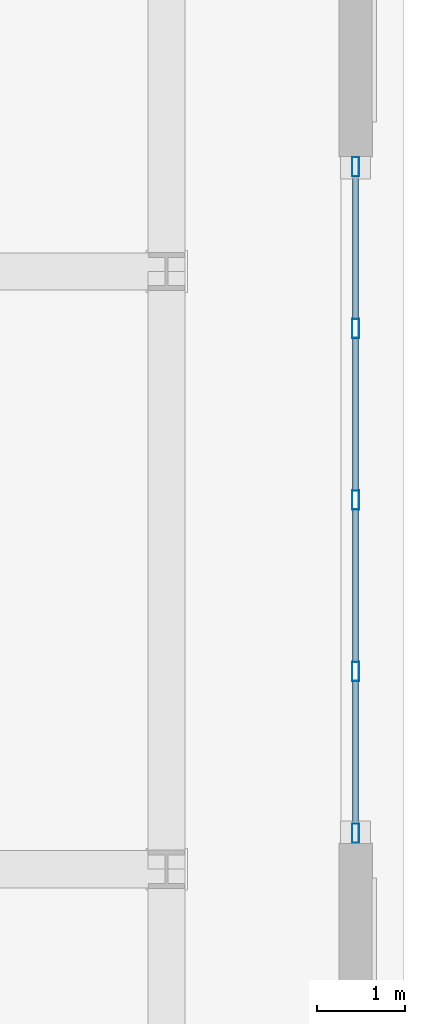
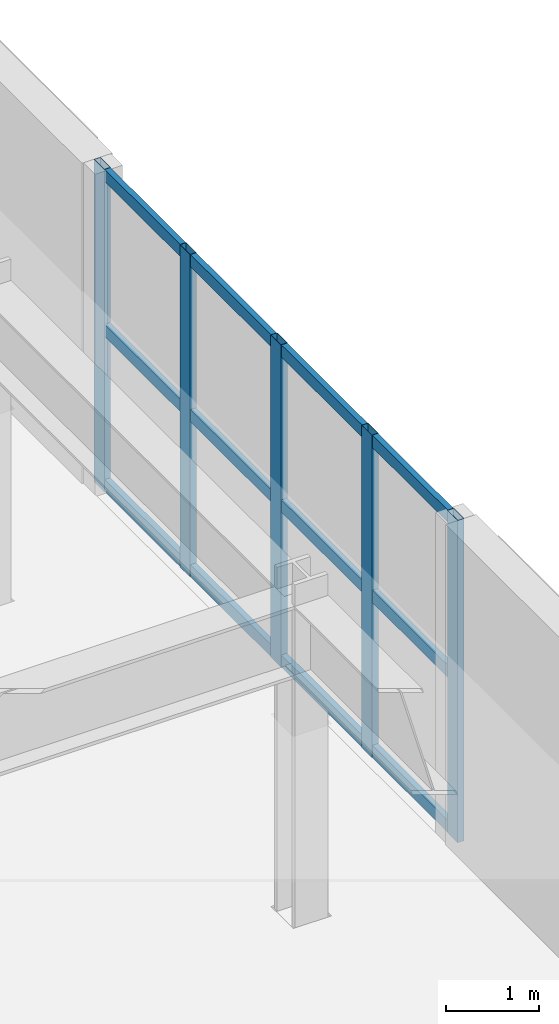
# One storey, part 12 of 21: 17 members, 1 element without a shape of its own.
"""IFC4 building model written with IfcOpenShell, lengths in metres."""

from ifc_helpers import new_model, si_unit, direction, frame, origin, origin_2d, place, context, subcontext, project, spatial, hollow_rectangle, extrude, material, layer, layer_set, material_profile, profile_set, type_object, element, aggregate, save


model = new_model("IFC4")

# Units and contexts
model_context = context("Model", 3, precision=1e-05, world=origin(), true_north=direction((0.0, 1.0)))
body_context = subcontext(model_context, "Body", "Model", "MODEL_VIEW")
ifc_project = project(units=[si_unit("LENGTHUNIT", "METRE"), si_unit("AREAUNIT", "SQUARE_METRE"), si_unit("VOLUMEUNIT", "CUBIC_METRE"), si_unit("PLANEANGLEUNIT", "RADIAN"), si_unit("MASSUNIT", "GRAM", prefix="KILO")], contexts=[model_context])

# Site, building, storey
site_placement = place(None, origin())
site = spatial("IfcSite", under=ifc_project, at=site_placement, CompositionType="ELEMENT")
building_placement = place(site_placement, origin())
building = spatial("IfcBuilding", under=site, at=building_placement, Name="Oramaril Tower", CompositionType="ELEMENT")
storey_placement = place(building_placement, frame((0.0, 0.0, 5.39990234375)))
storey = spatial("IfcBuildingStorey", under=building, at=storey_placement, Name="L01", CompositionType="ELEMENT", Elevation=5.39990234375)

# Curtain wall, members
ifc_material_1 = material(Name="Anodised Aluminium 6063-T6", Category="aluminium")
ifc_layer = layer(ifc_material_1, 0.219970703125)
ifc_layer_set = layer_set([ifc_layer], Name="CWT-SYS1")
curtain_wall_type = type_object("IfcCurtainWallType", Name="CWT-SYS1", PredefinedType="NOTDEFINED", material=ifc_layer_set)
curtain_wall_placement = place(storey_placement, origin())
curtain_wall = element("IfcCurtainWall", 1, at=curtain_wall_placement, inside=storey, type_object=curtain_wall_type, Name="L01 Unitised Curtain Wall CW-1", PredefinedType="NOTDEFINED")
ifc_material_2 = material(Name="Anodised Aluminium 6063-T6", Category="aluminium")
ifc_material_profile_1 = material_profile(ifc_material_2, hollow_rectangle(XDim=0.080078125, YDim=0.219970703125, WallThickness=0.00390625, at=origin_2d()), Name="CWM220X80")
ifc_profile_set_1 = profile_set([ifc_material_profile_1], Name="Anodised Aluminium 6063-T6")
member_type_1 = type_object("IfcMemberType", Name="MT-CWM1", PredefinedType="MULLION", material=ifc_profile_set_1)
member_1_placement = place(storey_placement, frame((77.949951171875, 19.010009765625, 0.0), z_axis=(0.0, 0.0, 1.0), x_axis=(-1.0, 0.0, 0.0)))
member_1 = element("IfcMember", 2, at=member_1_placement, type_object=member_type_1, Name="CW-1 mullion 1", PredefinedType="MULLION", context=body_context, shape_type="SweptSolid", body=[
    extrude(hollow_rectangle(XDim=0.080078125, YDim=0.219970703125, WallThickness=0.00390625, at=origin_2d()), origin(), (0.0, 0.0, 1.0), 4.22021484375),
])
member_2_placement = place(storey_placement, frame((77.949951171875, 20.85009765625, 0.0), z_axis=(0.0, 0.0, 1.0), x_axis=(-1.0, 0.0, 0.0)))
member_2 = element("IfcMember", 3, at=member_2_placement, type_object=member_type_1, Name="CW-1 mullion 2", PredefinedType="MULLION", context=body_context, shape_type="SweptSolid", body=[
    extrude(hollow_rectangle(XDim=0.080078125, YDim=0.219970703125, WallThickness=0.00390625, at=origin_2d()), origin(), (0.0, 0.0, 1.0), 4.22021484375),
])
member_3_placement = place(storey_placement, frame((77.949951171875, 22.800048828125, 0.0), z_axis=(0.0, 0.0, 1.0), x_axis=(-1.0, 0.0, 0.0)))
member_3 = element("IfcMember", 4, at=member_3_placement, type_object=member_type_1, Name="CW-1 mullion 3", PredefinedType="MULLION", context=body_context, shape_type="SweptSolid", body=[
    extrude(hollow_rectangle(XDim=0.080078125, YDim=0.219970703125, WallThickness=0.00390625, at=origin_2d()), origin(), (0.0, 0.0, 1.0), 4.22021484375),
])
member_4_placement = place(storey_placement, frame((77.949951171875, 24.75, 0.0), z_axis=(0.0, 0.0, 1.0), x_axis=(-1.0, 0.0, 0.0)))
member_4 = element("IfcMember", 5, at=member_4_placement, type_object=member_type_1, Name="CW-1 mullion 4", PredefinedType="MULLION", context=body_context, shape_type="SweptSolid", body=[
    extrude(hollow_rectangle(XDim=0.080078125, YDim=0.219970703125, WallThickness=0.00390625, at=origin_2d()), origin(), (0.0, 0.0, 1.0), 4.22021484375),
])
member_5_placement = place(storey_placement, frame((77.949951171875, 26.590087890625, 0.0), z_axis=(0.0, 0.0, 1.0), x_axis=(-1.0, 0.0, 0.0)))
member_5 = element("IfcMember", 6, at=member_5_placement, type_object=member_type_1, Name="CW-1 mullion 5", PredefinedType="MULLION", context=body_context, shape_type="SweptSolid", body=[
    extrude(hollow_rectangle(XDim=0.080078125, YDim=0.219970703125, WallThickness=0.00390625, at=origin_2d()), origin(), (0.0, 0.0, 1.0), 4.22021484375),
])
ifc_material_3 = material(Name="Anodised Aluminium 6063-T6", Category="aluminium")
ifc_material_profile_2 = material_profile(ifc_material_3, hollow_rectangle(XDim=0.070068359375, YDim=0.159912109375, WallThickness=0.00390625, at=origin_2d()), Name="CWT160X70")
ifc_profile_set_2 = profile_set([ifc_material_profile_2], Name="Anodised Aluminium 6063-T6")
member_type_2 = type_object("IfcMemberType", Name="MT-CWT1", PredefinedType="USERDEFINED", material=ifc_profile_set_2)
member_6_placement = place(storey_placement, frame((77.949951171875, 19.1201171875, 0.080078125), z_axis=(0.0, 1.0, 0.0), x_axis=(-1.0, 0.0, 0.0)))
member_6 = element("IfcMember", 7, at=member_6_placement, type_object=member_type_2, Name="CW-1 transom 1.1", ObjectType="TRANSOM", PredefinedType="USERDEFINED", context=body_context, shape_type="SweptSolid", body=[
    extrude(hollow_rectangle(XDim=0.070068359375, YDim=0.159912109375, WallThickness=0.00390625, at=origin_2d()), origin(), (0.0, 0.0, 1.0), 1.619873046875),
])
member_7_placement = place(storey_placement, frame((77.949951171875, 19.1201171875, 2.110107421875), z_axis=(0.0, 1.0, 0.0), x_axis=(-1.0, 0.0, 0.0)))
member_7 = element("IfcMember", 8, at=member_7_placement, type_object=member_type_2, Name="CW-1 transom 1.2", ObjectType="TRANSOM", PredefinedType="USERDEFINED", context=body_context, shape_type="SweptSolid", body=[
    extrude(hollow_rectangle(XDim=0.070068359375, YDim=0.159912109375, WallThickness=0.00390625, at=origin_2d()), origin(), (0.0, 0.0, 1.0), 1.619873046875),
])
member_8_placement = place(storey_placement, frame((77.949951171875, 19.1201171875, 4.14013671875), z_axis=(0.0, 1.0, 0.0), x_axis=(-1.0, 0.0, 0.0)))
member_8 = element("IfcMember", 9, at=member_8_placement, type_object=member_type_2, Name="CW-1 transom 1.3", ObjectType="TRANSOM", PredefinedType="USERDEFINED", context=body_context, shape_type="SweptSolid", body=[
    extrude(hollow_rectangle(XDim=0.070068359375, YDim=0.159912109375, WallThickness=0.00390625, at=origin_2d()), origin(), (0.0, 0.0, 1.0), 1.619873046875),
])
member_9_placement = place(storey_placement, frame((77.949951171875, 20.9599609375, 0.080078125), z_axis=(0.0, 1.0, 0.0), x_axis=(-1.0, 0.0, 0.0)))
member_9 = element("IfcMember", 10, at=member_9_placement, type_object=member_type_2, Name="CW-1 transom 2.1", ObjectType="TRANSOM", PredefinedType="USERDEFINED", context=body_context, shape_type="SweptSolid", body=[
    extrude(hollow_rectangle(XDim=0.070068359375, YDim=0.159912109375, WallThickness=0.00390625, at=origin_2d()), origin(), (0.0, 0.0, 1.0), 1.72998046875),
])
member_10_placement = place(storey_placement, frame((77.949951171875, 20.9599609375, 2.110107421875), z_axis=(0.0, 1.0, 0.0), x_axis=(-1.0, 0.0, 0.0)))
member_10 = element("IfcMember", 11, at=member_10_placement, type_object=member_type_2, Name="CW-1 transom 2.2", ObjectType="TRANSOM", PredefinedType="USERDEFINED", context=body_context, shape_type="SweptSolid", body=[
    extrude(hollow_rectangle(XDim=0.070068359375, YDim=0.159912109375, WallThickness=0.00390625, at=origin_2d()), origin(), (0.0, 0.0, 1.0), 1.72998046875),
])
member_11_placement = place(storey_placement, frame((77.949951171875, 20.9599609375, 4.14013671875), z_axis=(0.0, 1.0, 0.0), x_axis=(-1.0, 0.0, 0.0)))
member_11 = element("IfcMember", 12, at=member_11_placement, type_object=member_type_2, Name="CW-1 transom 2.3", ObjectType="TRANSOM", PredefinedType="USERDEFINED", context=body_context, shape_type="SweptSolid", body=[
    extrude(hollow_rectangle(XDim=0.070068359375, YDim=0.159912109375, WallThickness=0.00390625, at=origin_2d()), origin(), (0.0, 0.0, 1.0), 1.72998046875),
])
member_12_placement = place(storey_placement, frame((77.949951171875, 22.909912109375, 0.080078125), z_axis=(0.0, 1.0, 0.0), x_axis=(-1.0, 0.0, 0.0)))
member_12 = element("IfcMember", 13, at=member_12_placement, type_object=member_type_2, Name="CW-1 transom 3.1", ObjectType="TRANSOM", PredefinedType="USERDEFINED", context=body_context, shape_type="SweptSolid", body=[
    extrude(hollow_rectangle(XDim=0.070068359375, YDim=0.159912109375, WallThickness=0.00390625, at=origin_2d()), origin(), (0.0, 0.0, 1.0), 1.72998046875),
])
member_13_placement = place(storey_placement, frame((77.949951171875, 22.909912109375, 2.110107421875), z_axis=(0.0, 1.0, 0.0), x_axis=(-1.0, 0.0, 0.0)))
member_13 = element("IfcMember", 14, at=member_13_placement, type_object=member_type_2, Name="CW-1 transom 3.2", ObjectType="TRANSOM", PredefinedType="USERDEFINED", context=body_context, shape_type="SweptSolid", body=[
    extrude(hollow_rectangle(XDim=0.070068359375, YDim=0.159912109375, WallThickness=0.00390625, at=origin_2d()), origin(), (0.0, 0.0, 1.0), 1.72998046875),
])
member_14_placement = place(storey_placement, frame((77.949951171875, 22.909912109375, 4.14013671875), z_axis=(0.0, 1.0, 0.0), x_axis=(-1.0, 0.0, 0.0)))
member_14 = element("IfcMember", 15, at=member_14_placement, type_object=member_type_2, Name="CW-1 transom 3.3", ObjectType="TRANSOM", PredefinedType="USERDEFINED", context=body_context, shape_type="SweptSolid", body=[
    extrude(hollow_rectangle(XDim=0.070068359375, YDim=0.159912109375, WallThickness=0.00390625, at=origin_2d()), origin(), (0.0, 0.0, 1.0), 1.72998046875),
])
member_15_placement = place(storey_placement, frame((77.949951171875, 24.860107421875, 0.080078125), z_axis=(0.0, 1.0, 0.0), x_axis=(-1.0, 0.0, 0.0)))
member_15 = element("IfcMember", 16, at=member_15_placement, type_object=member_type_2, Name="CW-1 transom 4.1", ObjectType="TRANSOM", PredefinedType="USERDEFINED", context=body_context, shape_type="SweptSolid", body=[
    extrude(hollow_rectangle(XDim=0.070068359375, YDim=0.159912109375, WallThickness=0.00390625, at=origin_2d()), origin(), (0.0, 0.0, 1.0), 1.619873046875),
])
member_16_placement = place(storey_placement, frame((77.949951171875, 24.860107421875, 2.110107421875), z_axis=(0.0, 1.0, 0.0), x_axis=(-1.0, 0.0, 0.0)))
member_16 = element("IfcMember", 17, at=member_16_placement, type_object=member_type_2, Name="CW-1 transom 4.2", ObjectType="TRANSOM", PredefinedType="USERDEFINED", context=body_context, shape_type="SweptSolid", body=[
    extrude(hollow_rectangle(XDim=0.070068359375, YDim=0.159912109375, WallThickness=0.00390625, at=origin_2d()), origin(), (0.0, 0.0, 1.0), 1.619873046875),
])
member_17_placement = place(storey_placement, frame((77.949951171875, 24.860107421875, 4.14013671875), z_axis=(0.0, 1.0, 0.0), x_axis=(-1.0, 0.0, 0.0)))
member_17 = element("IfcMember", 18, at=member_17_placement, type_object=member_type_2, Name="CW-1 transom 4.3", ObjectType="TRANSOM", PredefinedType="USERDEFINED", context=body_context, shape_type="SweptSolid", body=[
    extrude(hollow_rectangle(XDim=0.070068359375, YDim=0.159912109375, WallThickness=0.00390625, at=origin_2d()), origin(), (0.0, 0.0, 1.0), 1.619873046875),
])
aggregate(curtain_wall, [member_1, member_2, member_3, member_4, member_5, member_6, member_7, member_8, member_9, member_10, member_11, member_12, member_13, member_14, member_15, member_16, member_17])

save(model, "model.ifc")
